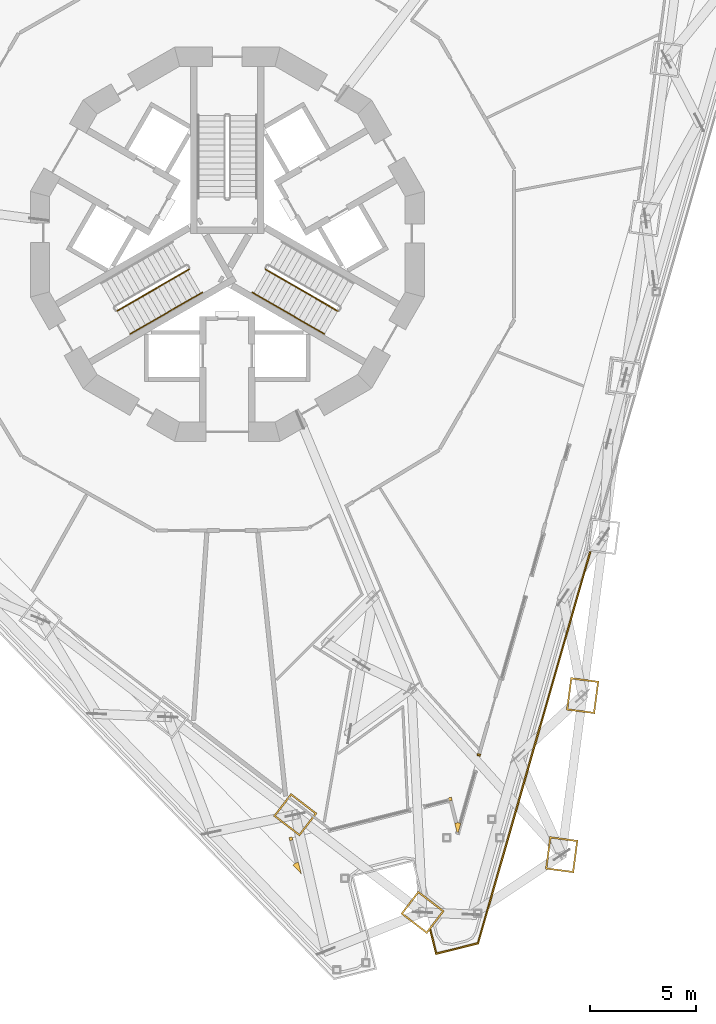
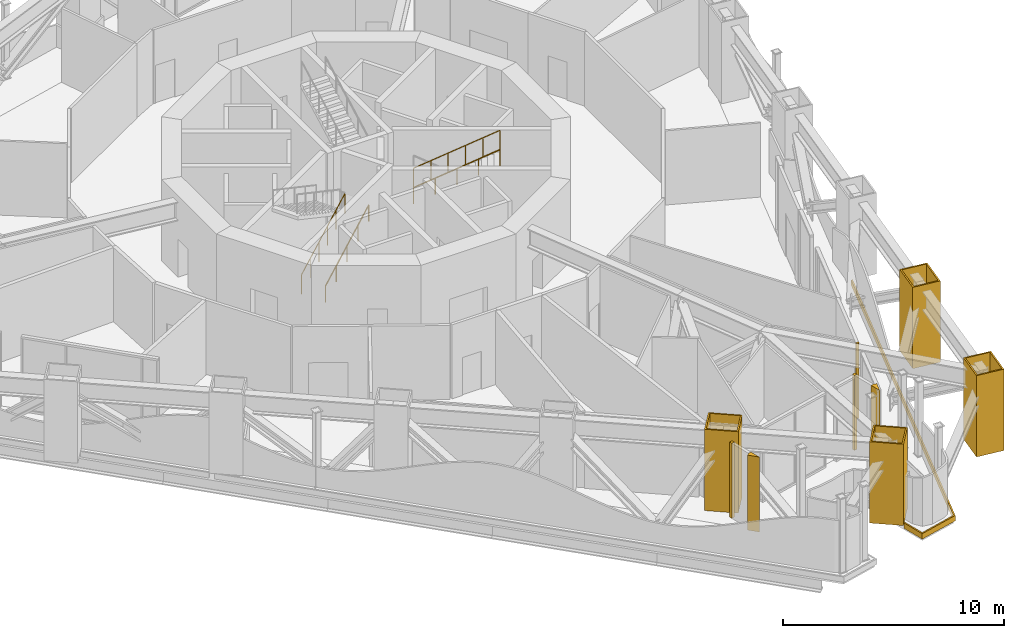
# One storey, part 21 of 26: 10 coverings, 6 railings.
"""IFC4 building model written with IfcOpenShell, lengths in metres."""

import ifcopenshell
import ifcopenshell.guid

model = None  # the IFC model being written
_history = None  # IfcOwnerHistory: only IFC2X3 demands one
_inside = {}  # id of a spatial element -> (the spatial element, [elements in it])
_under = {}  # id of a project, library or spatial element -> (it, [spatial elements below it])
_declared = {}  # id of a project -> (the project, [libraries it declares])
_typed = {}  # id of a type object -> (the type object, [elements of that type])
_made_of = {}  # id of a material, layer set ... -> (it, [elements and type objects made of it])


def new_model(schema):
    """Start an empty IFC model of exactly this schema.

    Asked for "IFC4X3", IfcOpenShell would pick the latest addendum, in which some entities
    have other attributes; the version numbers below select the first issue.
    IFC2X3 requires an IfcOwnerHistory on every rooted entity: one is made here for all.
    """
    global model, _history
    if schema == "IFC4X3":
        model = ifcopenshell.file(schema_version=(4, 3, 0, 0))
    else:
        model = ifcopenshell.file(schema=schema)
    _inside.clear()
    _under.clear()
    _declared.clear()
    _typed.clear()
    _made_of.clear()
    _history = None
    if model.schema == "IFC2X3":
        org = make("IfcOrganization", Name="unknown")
        user = make(
            "IfcPersonAndOrganization",
            ThePerson=make("IfcPerson", FamilyName="unknown"),
            TheOrganization=org,
        )
        app = make(
            "IfcApplication",
            ApplicationDeveloper=org,
            Version="unknown",
            ApplicationFullName="unknown",
            ApplicationIdentifier="unknown",
        )
        _history = make(
            "IfcOwnerHistory",
            OwningUser=user,
            OwningApplication=app,
            ChangeAction="ADDED",
            CreationDate=0,
        )
    return model


def make(cls, **values):
    """One entity of the class cls with the attributes given. An attribute that is None is left unset."""
    return model.create_entity(
        cls, **{name: value for name, value in values.items() if value is not None}
    )


def rooted(cls, **values):
    """An entity with a GlobalId (a new one), such as an element, a storey or a relation."""
    return make(cls, GlobalId=ifcopenshell.guid.new(), OwnerHistory=_history, **values)


def si_unit(unit_type, name, prefix=None):
    """IfcSIUnit, for example si_unit("LENGTHUNIT", "METRE", prefix="MILLI")."""
    return make("IfcSIUnit", UnitType=unit_type, Prefix=prefix, Name=name)


def assignment(units):
    """IfcUnitAssignment: the units of a project."""
    return None if units is None else make("IfcUnitAssignment", Units=units)


def point(xyz):
    """IfcCartesianPoint."""
    return None if xyz is None else make("IfcCartesianPoint", Coordinates=xyz)


def direction(xyz):
    """IfcDirection."""
    return None if xyz is None else make("IfcDirection", DirectionRatios=xyz)


def frame(location, z_axis=None, x_axis=None):
    """IfcAxis2Placement3D, a coordinate frame: its origin and axes. An axis left out is left unset."""
    return make(
        "IfcAxis2Placement3D",
        Location=point(location),
        Axis=direction(z_axis),
        RefDirection=direction(x_axis),
    )


def frame_2d(location, x_axis=None):
    """IfcAxis2Placement2D, a coordinate frame in the plane: its origin and x axis."""
    return make(
        "IfcAxis2Placement2D", Location=point(location), RefDirection=direction(x_axis)
    )


def origin():
    """The frame at (0, 0, 0) with its axes left unset."""
    return frame((0.0, 0.0, 0.0))


def origin_2d():
    """The frame at (0, 0) in the plane with its x axis left unset."""
    return frame_2d((0.0, 0.0))


def place(relative_to, where):
    """IfcLocalPlacement: puts the frame where relative to a parent placement (None: the world)."""
    return make(
        "IfcLocalPlacement", PlacementRelTo=relative_to, RelativePlacement=where
    )


def context(
    kind, dimensions, precision=None, world=None, true_north=None, identifier=None
):
    """IfcGeometricRepresentationContext, for example the 3D "Model" context."""
    return make(
        "IfcGeometricRepresentationContext",
        ContextIdentifier=identifier,
        ContextType=kind,
        CoordinateSpaceDimension=dimensions,
        Precision=precision,
        WorldCoordinateSystem=world,
        TrueNorth=true_north,
    )


def subcontext(parent, identifier, kind, view, scale=None):
    """IfcGeometricRepresentationSubContext, for example "Body" below "Model"."""
    return make(
        "IfcGeometricRepresentationSubContext",
        ContextIdentifier=identifier,
        ContextType=kind,
        ParentContext=parent,
        TargetScale=scale,
        TargetView=view,
    )


def project(units=None, contexts=None):
    """IfcProject with its units and contexts."""
    return rooted(
        "IfcProject",
        Name="project",
        RepresentationContexts=contexts,
        UnitsInContext=assignment(units),
    )


def spatial(cls, under=None, at=None, **own):
    """A site, building, storey or space (cls), placed at a placement, below another one or the project."""
    s = rooted(cls, ObjectPlacement=at, **own)
    if under is not None:
        _under.setdefault(under.id(), (under, []))[1].append(s)
    return s


def polyline(points):
    """IfcPolyline through the points."""
    return make("IfcPolyline", Points=[point(p) for p in points])


def profile(cls, at=None, kind="AREA", **sizes):
    """A parametric profile (cls). Its sizes go by their IFC names, for example OverallWidth=200.0."""
    return make(cls, ProfileType=kind, Position=at, **sizes)


def circle(**sizes):
    """IfcCircleProfileDef."""
    return profile("IfcCircleProfileDef", **sizes)


def outline(outer, holes=None, kind="AREA"):
    """IfcArbitraryClosedProfileDef: a profile drawn as a closed curve; with holes, ...WithVoids."""
    if holes is None:
        return make("IfcArbitraryClosedProfileDef", ProfileType=kind, OuterCurve=outer)
    return make(
        "IfcArbitraryProfileDefWithVoids",
        ProfileType=kind,
        OuterCurve=outer,
        InnerCurves=holes,
    )


def extrude(swept, where, along, depth):
    """IfcExtrudedAreaSolid: the profile swept, set in the frame where, extruded along a direction by depth."""
    return make(
        "IfcExtrudedAreaSolid",
        SweptArea=swept,
        Position=where,
        ExtrudedDirection=direction(along),
        Depth=depth,
    )


def shape(context_of_items, identifier, shape_type, items):
    """IfcShapeRepresentation: the items that make up one representation, for example the "Body"."""
    return make(
        "IfcShapeRepresentation",
        ContextOfItems=context_of_items,
        RepresentationIdentifier=identifier,
        RepresentationType=shape_type,
        Items=items,
    )


def material(Name=None, Category=None):
    """IfcMaterial."""
    return make("IfcMaterial", Name=Name, Category=Category)


def layer(
    of_material, thickness, ventilated=None, Name=None, Category=None, Priority=None
):
    """IfcMaterialLayer: one layer of a wall or slab, of a material (None: an air gap)."""
    return make(
        "IfcMaterialLayer",
        Material=of_material,
        LayerThickness=thickness,
        IsVentilated=ventilated,
        Name=Name,
        Category=Category,
        Priority=Priority,
    )


def layer_set(layers, Name=None):
    """IfcMaterialLayerSet."""
    return make("IfcMaterialLayerSet", MaterialLayers=layers, LayerSetName=Name)


def made_of(thing, what):
    """Note that an element or type object is made of a material, layer set ...; save() writes the relation."""
    if what is not None:
        _made_of.setdefault(what.id(), (what, []))[1].append(thing)
    return thing


def type_object(cls, material=None, **own):
    """A type object (cls), such as IfcWallType, which elements share."""
    return made_of(rooted(cls, **own), material)


def element(
    cls,
    number,
    at=None,
    inside=None,
    cuts=None,
    type_object=None,
    material=None,
    context=None,
    identifier="Body",
    shape_type=None,
    held_by="IfcProductDefinitionShape",
    body=None,
    shapes=None,
    **own,
):
    """One element of the class cls, such as IfcWall. Its Tag is "e" and its number.

    at: its placement. inside: the storey or other place that contains it. cuts: it is an
    opening in that element (IfcRelVoidsElement). A single representation is given by context,
    identifier, shape_type and body (its items); several are given by shapes. held_by: the class
    of the entity that holds the representations. save() writes the other relations.
    """
    e = rooted(cls, Tag="e%d" % number, ObjectPlacement=at, **own)
    if body is not None:
        shapes = [shape(context, identifier, shape_type, body)]
    if shapes is not None:
        e.Representation = make(held_by, Representations=shapes)
    if inside is not None:
        _inside.setdefault(inside.id(), (inside, []))[1].append(e)
    if cuts is not None:
        rooted(
            "IfcRelVoidsElement", RelatingBuildingElement=cuts, RelatedOpeningElement=e
        )
    if type_object is not None:
        _typed.setdefault(type_object.id(), (type_object, []))[1].append(e)
    return made_of(e, material)


def aggregate(whole, parts):
    """IfcRelAggregates: a whole, such as a stair, and the parts it consists of."""
    return rooted("IfcRelAggregates", RelatingObject=whole, RelatedObjects=parts)


def save(model, path):
    """Write the relations noted so far, then the file.

    IfcRelAggregates (storeys below a building ...), IfcRelContainedInSpatialStructure (elements
    in a storey), IfcRelDefinesByType, IfcRelAssociatesMaterial and IfcRelDeclares: one each for
    every whole, place, type object, material and project.
    """
    for whole, parts in _under.values():
        aggregate(whole, parts)
    for where, things in _inside.values():
        rooted(
            "IfcRelContainedInSpatialStructure",
            RelatedElements=things,
            RelatingStructure=where,
        )
    for kind, things in _typed.values():
        rooted("IfcRelDefinesByType", RelatedObjects=things, RelatingType=kind)
    for what, things in _made_of.values():
        rooted("IfcRelAssociatesMaterial", RelatedObjects=things, RelatingMaterial=what)
    for by, libraries in _declared.values():
        rooted("IfcRelDeclares", RelatingContext=by, RelatedDefinitions=libraries)
    model.write(path)


model = new_model("IFC4")

# Units and contexts
model_context = context("Model", 3, precision=1e-05, world=origin(), true_north=direction((0.0, 1.0)))
body_context = subcontext(model_context, "Body", "Model", "MODEL_VIEW")
ifc_project = project(units=[si_unit("LENGTHUNIT", "METRE"), si_unit("AREAUNIT", "SQUARE_METRE"), si_unit("VOLUMEUNIT", "CUBIC_METRE"), si_unit("PLANEANGLEUNIT", "RADIAN"), si_unit("MASSUNIT", "GRAM", prefix="KILO")], contexts=[model_context])

# Site, building, storey
site_placement = place(None, origin())
site = spatial("IfcSite", under=ifc_project, at=site_placement, CompositionType="ELEMENT")
building_placement = place(site_placement, origin())
building = spatial("IfcBuilding", under=site, at=building_placement, Name="Trine Commons Tower", CompositionType="ELEMENT")
storey_placement = place(building_placement, frame((0.0, 0.0, 119.699951171875)))
storey = spatial("IfcBuildingStorey", under=building, at=storey_placement, Name="L30", CompositionType="ELEMENT", Elevation=119.699951171875)

# Coverings
ifc_material_1 = material(Name="Aluminium-framed insulated wall panel", Category="aluminium")
ifc_layer_1 = layer(ifc_material_1, 0.14990234375)
ifc_layer_set_1 = layer_set([ifc_layer_1], Name="Aluminium-framed insulated wall panel")
covering_type_1 = type_object("IfcCoveringType", Name="Glazing corner post, aluminium", PredefinedType="CLADDING", material=ifc_layer_set_1)
covering_1_placement = place(storey_placement, origin())
element("IfcCovering", 1, at=covering_1_placement, inside=storey, type_object=covering_type_1, Name="Entrance wall jamb post F2 12B", PredefinedType="CLADDING", context=body_context, shape_type="SweptSolid", body=[
    extrude(outline(polyline([(91.924560546875, 38.49658203125), (91.897216796875, 38.400390625), (91.7529296875, 38.44189453125), (91.780517578125, 38.5380859375), (91.924560546875, 38.49658203125)])), origin(), (0.0, 0.0, 1.0), 4.150146484375),
])
covering_2_placement = place(storey_placement, origin())
element("IfcCovering", 2, at=covering_2_placement, inside=storey, type_object=covering_type_1, Name="Glazing corner post 3-09", PredefinedType="CLADDING", context=body_context, shape_type="SweptSolid", body=[
    extrude(outline(polyline([(90.701416015625, 35.24560546875), (90.836669921875, 34.70263671875), (90.990966796875, 35.24072265625), (90.8466796875, 35.281982421875), (90.701416015625, 35.24560546875)])), origin(), (0.0, 0.0, 1.0), 4.150146484375),
])
covering_3_placement = place(storey_placement, origin())
element("IfcCovering", 3, at=covering_3_placement, inside=storey, type_object=covering_type_1, Name="Glazing corner post 3-10", PredefinedType="CLADDING", context=body_context, shape_type="SweptSolid", body=[
    extrude(outline(polyline([(90.40234375, 36.44482421875), (90.438720703125, 36.29931640625), (90.584228515625, 36.33544921875), (90.5478515625, 36.481201171875), (90.40234375, 36.44482421875)])), origin(), (0.0, 0.0, 1.0), 4.150146484375),
])
covering_4_placement = place(storey_placement, origin())
element("IfcCovering", 4, at=covering_4_placement, inside=storey, type_object=covering_type_1, Name="Glazing corner post 3-11", PredefinedType="CLADDING", context=body_context, shape_type="SweptSolid", body=[
    extrude(outline(polyline([(82.938232421875, 34.42919921875), (83.083740234375, 34.465576171875), (83.047607421875, 34.611083984375), (82.90185546875, 34.57470703125), (82.938232421875, 34.42919921875)])), origin(), (0.0, 0.0, 1.0), 4.150146484375),
])
covering_5_placement = place(storey_placement, origin())
element("IfcCovering", 5, at=covering_5_placement, inside=storey, type_object=covering_type_1, Name="Glazing corner post 3-12", PredefinedType="CLADDING", context=body_context, shape_type="SweptSolid", body=[
    extrude(outline(polyline([(83.093017578125, 33.271484375), (83.48193359375, 32.868896484375), (83.346435546875, 33.412109375), (83.200927734375, 33.375732421875), (83.093017578125, 33.271484375)])), origin(), (0.0, 0.0, 1.0), 4.150146484375),
])
ifc_material_2 = material(Name="Limestone, honed", Category="masonry")
ifc_layer_2 = layer(ifc_material_2, 0.074951171875)
ifc_layer_set_2 = layer_set([ifc_layer_2], Name="Limestone, honed")
covering_type_2 = type_object("IfcCoveringType", Name="Limestone column cladding 75", PredefinedType="CLADDING", material=ifc_layer_set_2)
covering_6_placement = place(storey_placement, origin())
element("IfcCovering", 6, at=covering_6_placement, inside=storey, type_object=covering_type_2, Name="Limestone pier cladding 4-01", PredefinedType="CLADDING", context=body_context, shape_type="SweptSolid", body=[
    extrude(outline(polyline([(88.984375, 32.062744140625), (88.16259765625, 30.99169921875), (89.39208984375, 30.048095703125), (90.214111328125, 31.119140625), (88.984375, 32.062744140625)]), holes=[polyline([(88.998291015625, 31.95751953125), (88.267578125, 31.005615234375), (89.37841796875, 30.1533203125), (90.10888671875, 31.105224609375), (88.998291015625, 31.95751953125)])]), origin(), (0.0, 0.0, 1.0), 4.5),
])
covering_7_placement = place(storey_placement, origin())
element("IfcCovering", 7, at=covering_7_placement, inside=storey, type_object=covering_type_2, Name="Limestone pier cladding 4-02", PredefinedType="CLADDING", context=body_context, shape_type="SweptSolid", body=[
    extrude(outline(polyline([(82.992919921875, 36.659912109375), (82.171142578125, 35.589111328125), (83.40087890625, 34.6455078125), (84.22265625, 35.71630859375), (82.992919921875, 36.659912109375)]), holes=[polyline([(83.0068359375, 36.5546875), (82.2763671875, 35.602783203125), (83.386962890625, 34.75048828125), (84.117431640625, 35.70263671875), (83.0068359375, 36.5546875)])]), origin(), (0.0, 0.0, 1.0), 4.5),
])
covering_8_placement = place(storey_placement, origin())
element("IfcCovering", 8, at=covering_8_placement, inside=storey, type_object=covering_type_2, Name="Limestone pier cladding 4-23", PredefinedType="CLADDING", context=body_context, shape_type="SweptSolid", body=[
    extrude(outline(polyline([(97.49365234375, 41.935791015625), (96.1552734375, 42.112060546875), (95.952880859375, 40.5751953125), (97.29150390625, 40.399169921875), (97.49365234375, 41.935791015625)]), holes=[polyline([(97.409423828125, 41.871337890625), (96.2197265625, 42.02783203125), (96.037109375, 40.639892578125), (97.226806640625, 40.4833984375), (97.409423828125, 41.871337890625)])]), origin(), (0.0, 0.0, 1.0), 4.5),
])
covering_9_placement = place(storey_placement, origin())
element("IfcCovering", 9, at=covering_9_placement, inside=storey, type_object=covering_type_2, Name="Limestone pier cladding 4-24", PredefinedType="CLADDING", context=body_context, shape_type="SweptSolid", body=[
    extrude(outline(polyline([(96.508056640625, 34.448486328125), (95.16943359375, 34.624755859375), (94.96728515625, 33.087890625), (96.3056640625, 32.91162109375), (96.508056640625, 34.448486328125)]), holes=[polyline([(96.423828125, 34.3837890625), (95.234130859375, 34.54052734375), (95.051513671875, 33.152587890625), (96.2412109375, 32.995849609375), (96.423828125, 34.3837890625)])]), origin(), (0.0, 0.0, 1.0), 4.5),
])
ifc_layer_3 = layer(ifc_material_2, 0.074951171875)
ifc_layer_set_3 = layer_set([ifc_layer_3], Name="Limestone, honed")
covering_type_3 = type_object("IfcCoveringType", Name="Limestone spandrel panel 75", PredefinedType="CLADDING", material=ifc_layer_set_3)
covering_10_placement = place(storey_placement, frame((0.0, 0.0, -0.300048828125)))
element("IfcCovering", 10, at=covering_10_placement, inside=storey, type_object=covering_type_3, Name="Limestone spandrel panel 3-03", PredefinedType="CLADDING", context=body_context, shape_type="SweptSolid", body=[
    extrude(outline(polyline([(89.518798828125, 30.212890625), (89.8046875, 29.06591796875), (91.8251953125, 29.56982421875), (97.12109375, 48.03857421875), (97.0458984375, 48.048583984375), (91.764892578125, 29.632080078125), (89.859375, 29.156982421875), (89.576904296875, 30.288818359375), (89.518798828125, 30.212890625)])), origin(), (0.0, 0.0, 1.0), 0.300048828125),
])

# Railings
ifc_material_3 = material(Name="Stainless steel balustrade", Category="steel")
railing_type_1 = type_object("IfcRailingType", Name="Stair guard, steel balustrade 1100", PredefinedType="GUARDRAIL", material=ifc_material_3)
railing_1_placement = place(storey_placement, frame((74.80517578125, 59.3564453125, 0.150146484375)))
element("IfcRailing", 11, at=railing_1_placement, inside=storey, type_object=railing_type_1, Name="L30 ST2B stair guard 1", PredefinedType="GUARDRAIL", context=body_context, shape_type="SweptSolid", body=[
    extrude(circle(Radius=0.02392578125, at=origin_2d()), frame((0.0, 0.0, 1.076171875), z_axis=(0.763394730363, 0.440743106462, 0.472201228037), x_axis=(-0.499997407846, 0.86602690036, 0.0)), (0.0, 0.0, 1.0), 4.447021484375),
    extrude(circle(Radius=0.02099609375, at=origin_2d()), origin(), (0.0, 0.0, 1.0), 1.052001953125),
    extrude(circle(Radius=0.02099609375, at=origin_2d()), frame((0.678955078125, 0.39208984375, 0.419921875)), (0.0, 0.0, 1.0), 1.052001953125),
    extrude(circle(Radius=0.02099609375, at=origin_2d()), frame((1.35791015625, 0.783935546875, 0.83984375)), (0.0, 0.0, 1.0), 1.052001953125),
    extrude(circle(Radius=0.02099609375, at=origin_2d()), frame((2.036865234375, 1.176025390625, 1.260009765625)), (0.0, 0.0, 1.0), 1.052001953125),
    extrude(circle(Radius=0.02099609375, at=origin_2d()), frame((2.7158203125, 1.56787109375, 1.679931640625)), (0.0, 0.0, 1.0), 1.052001953125),
    extrude(circle(Radius=0.02099609375, at=origin_2d()), frame((3.394775390625, 1.9599609375, 2.099853515625)), (0.0, 0.0, 1.0), 1.052001953125),
])
railing_2_placement = place(storey_placement, frame((81.800048828125, 61.31640625, 2.400146484375)))
element("IfcRailing", 12, at=railing_2_placement, inside=storey, type_object=railing_type_1, Name="L30 ST3B stair guard 3", PredefinedType="GUARDRAIL", context=body_context, shape_type="SweptSolid", body=[
    extrude(circle(Radius=0.02392578125, at=origin_2d()), frame((0.0, 0.0, 1.076171875), z_axis=(0.763394730363, -0.440743106462, 0.472201228037), x_axis=(0.499997407846, 0.86602690036, 0.0)), (0.0, 0.0, 1.0), 4.447021484375),
    extrude(circle(Radius=0.02099609375, at=origin_2d()), origin(), (0.0, 0.0, 1.0), 1.052001953125),
    extrude(circle(Radius=0.02099609375, at=origin_2d()), frame((0.678955078125, -0.39208984375, 0.419921875)), (0.0, 0.0, 1.0), 1.052001953125),
    extrude(circle(Radius=0.02099609375, at=origin_2d()), frame((1.35791015625, -0.783935546875, 0.83984375)), (0.0, 0.0, 1.0), 1.052001953125),
    extrude(circle(Radius=0.02099609375, at=origin_2d()), frame((2.036865234375, -1.176025390625, 1.260009765625)), (0.0, 0.0, 1.0), 1.052001953125),
    extrude(circle(Radius=0.02099609375, at=origin_2d()), frame((2.7158203125, -1.56787109375, 1.679931640625)), (0.0, 0.0, 1.0), 1.052001953125),
    extrude(circle(Radius=0.02099609375, at=origin_2d()), frame((3.394775390625, -1.9599609375, 2.099853515625)), (0.0, 0.0, 1.0), 1.052001953125),
])
ifc_material_4 = material(Name="Stainless steel handrail", Category="steel")
railing_type_2 = type_object("IfcRailingType", Name="Stair handrail, steel 900", PredefinedType="HANDRAIL", material=ifc_material_4)
railing_3_placement = place(storey_placement, frame((75.43017578125, 58.27392578125, 0.150146484375)))
element("IfcRailing", 13, at=railing_3_placement, inside=storey, type_object=railing_type_2, Name="L30 ST2B stair handrail 1", PredefinedType="HANDRAIL", context=body_context, shape_type="SweptSolid", body=[
    extrude(circle(Radius=0.02099609375, at=origin_2d()), frame((0.0, 0.0, 0.87890625), z_axis=(0.763437424022, 0.440736059258, 0.47213877798), x_axis=(-0.499970440388, 0.866042469362, 0.0)), (0.0, 0.0, 1.0), 2.223388671875),
    extrude(circle(Radius=0.01513671875, at=origin_2d()), origin(), (0.0, 0.0, 1.0), 0.85791015625),
    extrude(circle(Radius=0.01513671875, at=origin_2d()), frame((0.8486328125, 0.489990234375, 0.52490234375)), (0.0, 0.0, 1.0), 0.85791015625),
    extrude(circle(Radius=0.01513671875, at=origin_2d()), frame((1.697509765625, 0.97998046875, 1.0498046875)), (0.0, 0.0, 1.0), 0.85791015625),
])
railing_4_placement = place(storey_placement, frame((77.127685546875, 59.25390625, 1.199951171875)))
element("IfcRailing", 14, at=railing_4_placement, inside=storey, type_object=railing_type_2, Name="L30 ST2B stair handrail 2", PredefinedType="HANDRAIL", context=body_context, shape_type="SweptSolid", body=[
    extrude(circle(Radius=0.02099609375, at=origin_2d()), frame((0.0, 0.0, 0.87890625), z_axis=(0.763352030933, 0.440750151347, 0.472263677365), x_axis=(-0.500024377727, 0.866011328839, 0.0)), (0.0, 0.0, 1.0), 2.223388671875),
    extrude(circle(Radius=0.01513671875, at=origin_2d()), origin(), (0.0, 0.0, 1.0), 0.85791015625),
    extrude(circle(Radius=0.01513671875, at=origin_2d()), frame((0.8486328125, 0.489990234375, 0.52490234375)), (0.0, 0.0, 1.0), 0.85791015625),
    extrude(circle(Radius=0.01513671875, at=origin_2d()), frame((1.697265625, 0.97998046875, 1.050048828125)), (0.0, 0.0, 1.0), 0.85791015625),
])
railing_5_placement = place(storey_placement, frame((81.175048828125, 60.23388671875, 2.400146484375)))
element("IfcRailing", 15, at=railing_5_placement, inside=storey, type_object=railing_type_2, Name="L30 ST3B stair handrail 3", PredefinedType="HANDRAIL", context=body_context, shape_type="SweptSolid", body=[
    extrude(circle(Radius=0.02099609375, at=origin_2d()), frame((0.0, 0.0, 0.87890625), z_axis=(0.76339161385, -0.440773006041, 0.472178357243), x_axis=(0.500024377727, 0.866011328839, 0.0)), (0.0, 0.0, 1.0), 2.223388671875),
    extrude(circle(Radius=0.01513671875, at=origin_2d()), origin(), (0.0, 0.0, 1.0), 0.85791015625),
    extrude(circle(Radius=0.01513671875, at=origin_2d()), frame((0.8486328125, -0.489990234375, 0.52490234375)), (0.0, 0.0, 1.0), 0.85791015625),
    extrude(circle(Radius=0.01513671875, at=origin_2d()), frame((1.697265625, -0.97998046875, 1.0498046875)), (0.0, 0.0, 1.0), 0.85791015625),
])
railing_6_placement = place(storey_placement, frame((82.872314453125, 59.25390625, 3.449951171875)))
element("IfcRailing", 16, at=railing_6_placement, inside=storey, type_object=railing_type_2, Name="L30 ST3B stair handrail 4", PredefinedType="HANDRAIL", context=body_context, shape_type="SweptSolid", body=[
    extrude(circle(Radius=0.02099609375, at=origin_2d()), frame((0.0, 0.0, 0.87890625), z_axis=(0.763397845365, -0.440713210311, 0.472224095054), x_axis=(0.499970440388, 0.866042469362, 0.0)), (0.0, 0.0, 1.0), 2.2236328125),
    extrude(circle(Radius=0.01513671875, at=origin_2d()), origin(), (0.0, 0.0, 1.0), 0.85791015625),
    extrude(circle(Radius=0.01513671875, at=origin_2d()), frame((0.8486328125, -0.489990234375, 0.52490234375)), (0.0, 0.0, 1.0), 0.85791015625),
    extrude(circle(Radius=0.01513671875, at=origin_2d()), frame((1.697509765625, -0.97998046875, 1.050048828125)), (0.0, 0.0, 1.0), 0.85791015625),
])

save(model, "model.ifc")
